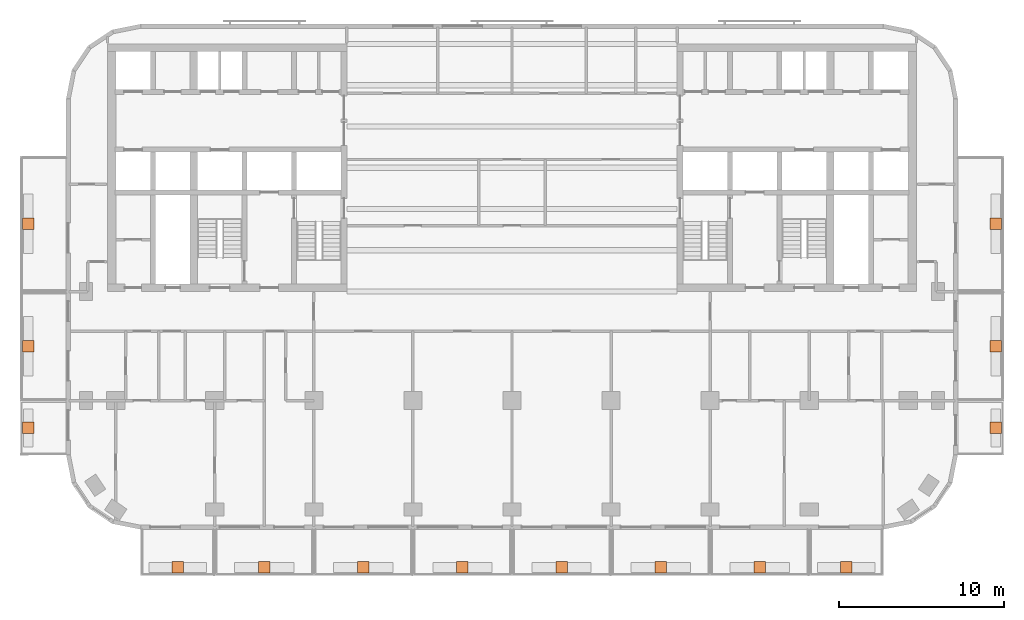
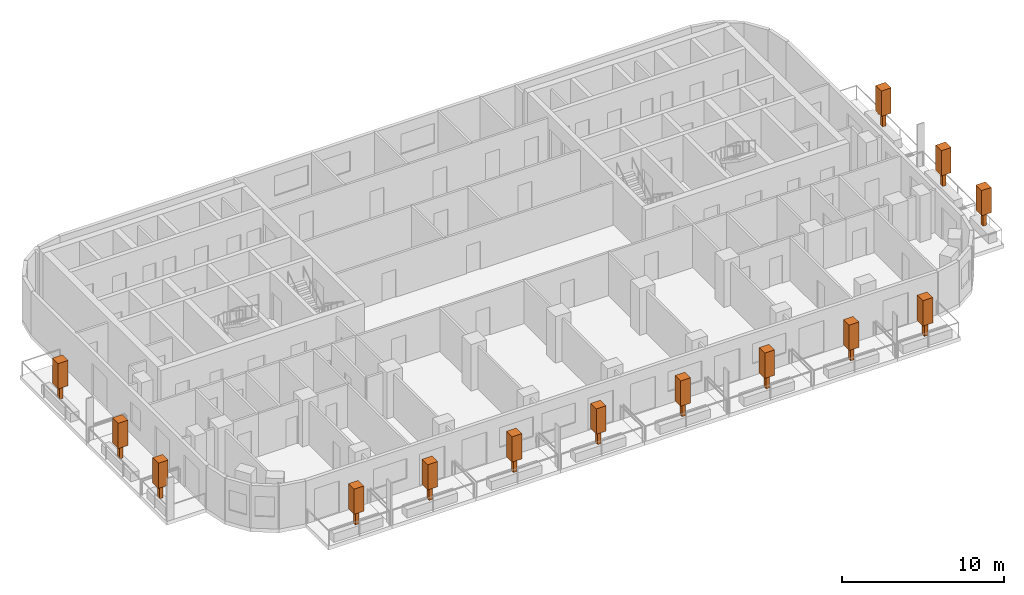
# One storey, part 11 of 11: 14 geographic elements.
"""IFC4 building model written with IfcOpenShell, lengths in metres."""

from ifc_helpers import new_model, si_unit, direction, frame, origin, origin_2d, place, context, subcontext, project, spatial, rectangle, extrude, material, element, save


model = new_model("IFC4")

# Units and contexts
model_context = context("Model", 3, precision=1e-05, world=origin(), true_north=direction((0.0, 1.0)))
body_context = subcontext(model_context, "Body", "Model", "MODEL_VIEW")
ifc_project = project(units=[si_unit("LENGTHUNIT", "METRE"), si_unit("AREAUNIT", "SQUARE_METRE"), si_unit("VOLUMEUNIT", "CUBIC_METRE"), si_unit("PLANEANGLEUNIT", "RADIAN"), si_unit("MASSUNIT", "GRAM", prefix="KILO")], contexts=[model_context])

# Site, building, storey
site_placement = place(None, origin())
site = spatial("IfcSite", under=ifc_project, at=site_placement, CompositionType="ELEMENT")
building_placement = place(site_placement, origin())
building = spatial("IfcBuilding", under=site, at=building_placement, Name="Torana Hotel and Residences", CompositionType="ELEMENT")
storey_placement = place(building_placement, frame((0.0, 0.0, 239.60009765625)))
storey = spatial("IfcBuildingStorey", under=building, at=storey_placement, Name="L63", CompositionType="ELEMENT", Elevation=239.60009765625)

# Geographic elements
ifc_material = material(Name="Foliage", Category="planting")
for number, where, z_axis, x_axis, name in (
    (1, (-20.25, -31.699951171875, 0.64990234375), (0.0, 0.0, 1.0), (1.0, 0.0, 0.0), "Tree 01"),
    (2, (-15.0, -31.699951171875, 0.64990234375), (0.0, 0.0, 1.0), (1.0, 0.0, 0.0), "Tree 02"),
    (3, (-9.0, -31.699951171875, 0.64990234375), (0.0, 0.0, 1.0), (1.0, 0.0, 0.0), "Tree 03"),
    (4, (-3.0, -31.699951171875, 0.64990234375), (0.0, 0.0, 1.0), (1.0, 0.0, 0.0), "Tree 04"),
    (5, (3.0, -31.699951171875, 0.64990234375), (0.0, 0.0, 1.0), (1.0, 0.0, 0.0), "Tree 05"),
    (6, (9.0, -31.699951171875, 0.64990234375), (0.0, 0.0, 1.0), (1.0, 0.0, 0.0), "Tree 06"),
    (7, (15.0, -31.699951171875, 0.64990234375), (0.0, 0.0, 1.0), (1.0, 0.0, 0.0), "Tree 07"),
    (8, (20.25, -31.699951171875, 0.64990234375), (0.0, 0.0, 1.0), (1.0, 0.0, 0.0), "Tree 08"),
    (9, (-29.300048828125, -23.25, 0.64990234375), (0.0, 0.0, 1.0), (1.0, 0.0, 0.0), "Tree 09"),
    (10, (-29.300048828125, -18.300048828125, 0.64990234375), (0.0, 0.0, 1.0), (1.0, 0.0, 0.0), "Tree 10"),
    (11, (-29.300048828125, -10.89990234375, 0.64990234375), (0.0, 0.0, 1.0), (1.0, 0.0, 0.0), "Tree 11"),
    (12, (29.300048828125, -23.25, 0.64990234375), (0.0, 0.0, 1.0), (1.0, 0.0, 0.0), "Tree 12"),
    (13, (29.300048828125, -18.300048828125, 0.64990234375), (0.0, 0.0, 1.0), (1.0, 0.0, 0.0), "Tree 13"),
    (14, (29.300048828125, -10.89990234375, 0.64990234375), (0.0, 0.0, 1.0), (1.0, 0.0, 0.0), "Tree 14"),
):
    element("IfcGeographicElement", number, at=place(storey_placement, frame(where, z_axis=z_axis, x_axis=x_axis)), inside=storey, material=ifc_material, Name=name, ObjectType="TREE", PredefinedType="USERDEFINED", context=body_context, shape_type="SweptSolid", body=[
        extrude(rectangle(XDim=0.25, YDim=0.25, at=origin_2d()), origin(), (0.0, 0.0, 1.0), 1.0),
        extrude(rectangle(XDim=0.699951171875, YDim=0.699951171875, at=origin_2d()), frame((0.0, 0.0, 1.0)), (0.0, 0.0, 1.0), 1.89990234375),
    ])

save(model, "model.ifc")
